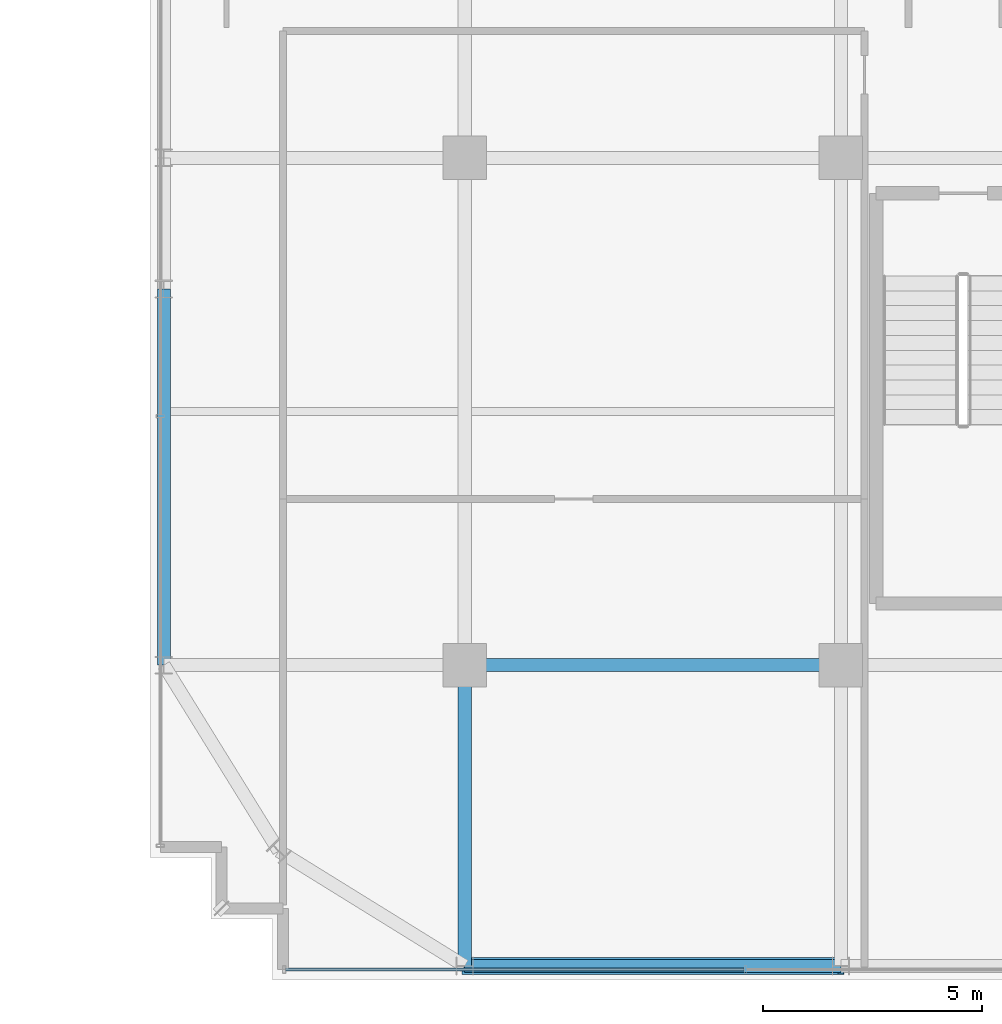
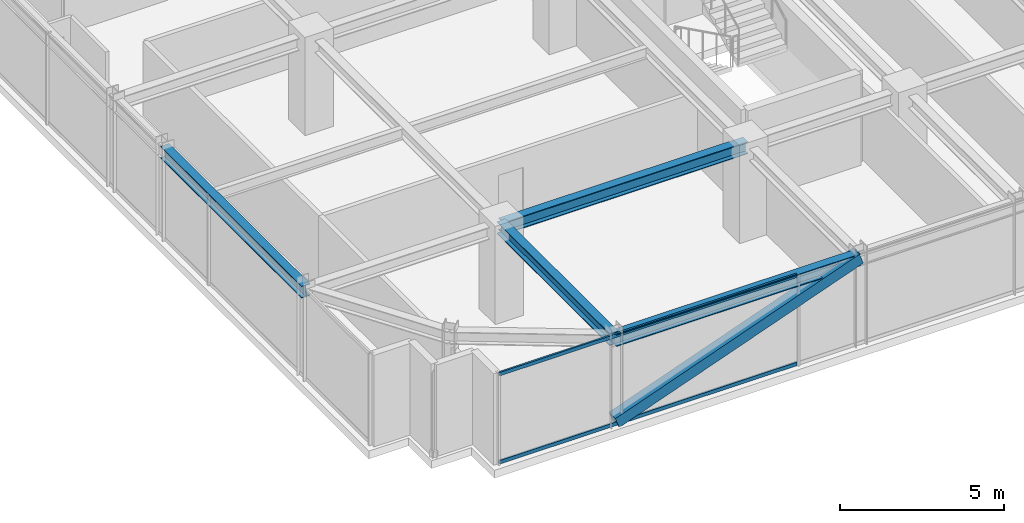
# One storey, part 5 of 41: 4 beams, 3 members, 1 element without a shape of its own.
"""IFC4 building model written with IfcOpenShell, lengths in metres."""

from ifc_helpers import new_model, si_unit, direction, frame, origin, origin_2d, place, context, subcontext, project, spatial, hollow_rectangle, i_section, extrude, source, transform, mapped, material, material_profile, profile_set, type_object, element, aggregate, save


model = new_model("IFC4")

# Units and contexts
model_context = context("Model", 3, precision=1e-05, world=origin(), true_north=direction((0.0, 1.0)))
body_context = subcontext(model_context, "Body", "Model", "MODEL_VIEW")
ifc_project = project(units=[si_unit("LENGTHUNIT", "METRE"), si_unit("AREAUNIT", "SQUARE_METRE"), si_unit("VOLUMEUNIT", "CUBIC_METRE"), si_unit("PLANEANGLEUNIT", "RADIAN"), si_unit("MASSUNIT", "GRAM", prefix="KILO")], contexts=[model_context])

# Site, building, storey
site_placement = place(None, origin())
site = spatial("IfcSite", under=ifc_project, at=site_placement, CompositionType="ELEMENT")
building_placement = place(site_placement, origin())
building = spatial("IfcBuilding", under=site, at=building_placement, Name="Nahalor Promenade Grand Hotel", CompositionType="ELEMENT")
storey_placement = place(building_placement, frame((0.0, 0.0, 227.10009765625)))
storey = spatial("IfcBuildingStorey", under=building, at=storey_placement, Name="L58", CompositionType="ELEMENT", Elevation=227.10009765625)

# Beams
ifc_material_1 = material(Name="Steel S355JR", Category="steel")
ifc_material_profile_1 = material_profile(ifc_material_1, i_section(OverallWidth=0.3, OverallDepth=0.45, WebThickness=0.014, FlangeThickness=0.026, at=origin_2d()), Name="HEB 450")
ifc_profile_set_1 = profile_set([ifc_material_profile_1], Name="Steel S355JR")
beam_type_1 = type_object("IfcBeamType", Name="Beam-Spandrel-HEB450", PredefinedType="SPANDREL", material=ifc_profile_set_1)
shared_shape_1 = source(origin(), body_context, "Body", "SweptSolid", [
    extrude(i_section(OverallWidth=0.3, OverallDepth=0.45, WebThickness=0.014, FlangeThickness=0.026, at=origin_2d()), origin(), (0.0, 0.0, 1.0), 8.60009765625),
])
for number, where, z_axis, x_axis, name in (
    (1, (-17.0, -23.8798828125, 3.184814453125), (1.0, 0.0, 0.0), (0.0, 1.0, 0.0), "BM-L58-SP-S-0"),
    (2, (-23.8798828125, -17.0, 3.184814453125), (0.0, 1.0, 0.0), (-1.0, 0.0, 0.0), "BM-L58-SP-W-0"),
):
    element("IfcBeam", number, at=place(storey_placement, frame(where, z_axis=z_axis, x_axis=x_axis)), inside=storey, type_object=beam_type_1, Name=name, PredefinedType="SPANDREL", context=body_context, shape_type="MappedRepresentation", body=[
        mapped(shared_shape_1, transform((0.0, 0.0, 0.0), scale=1.0)),
    ])
ifc_material_profile_2 = material_profile(ifc_material_1, i_section(OverallWidth=0.3, OverallDepth=0.45, WebThickness=0.014, FlangeThickness=0.026, at=origin_2d()), Name="HEB 450")
ifc_profile_set_2 = profile_set([ifc_material_profile_2], Name="Steel S355JR")
beam_type_2 = type_object("IfcBeamType", Name="Beam-Girder-HEB450", PredefinedType="BEAM", material=ifc_profile_set_2)
shared_shape_2 = source(origin(), body_context, "Body", "SweptSolid", [
    extrude(i_section(OverallWidth=0.3, OverallDepth=0.45, WebThickness=0.014, FlangeThickness=0.026, at=origin_2d()), origin(), (0.0, 0.0, 1.0), 6.8798828125),
])
beam_1_placement = place(storey_placement, frame((-17.0, -23.8798828125, 3.184814453125), z_axis=(0.0, 1.0, 0.0), x_axis=(-1.0, 0.0, 0.0)))
element("IfcBeam", 3, at=beam_1_placement, inside=storey, type_object=beam_type_2, Name="BM-L58-GY-0-0", PredefinedType="BEAM", context=body_context, shape_type="MappedRepresentation", body=[
    mapped(shared_shape_2, transform((0.0, 0.0, 0.0), scale=1.0)),
])
shared_shape_3 = source(origin(), body_context, "Body", "SweptSolid", [
    extrude(i_section(OverallWidth=0.3, OverallDepth=0.45, WebThickness=0.014, FlangeThickness=0.026, at=origin_2d()), origin(), (0.0, 0.0, 1.0), 8.60009765625),
])
beam_2_placement = place(storey_placement, frame((-17.0, -17.0, 3.184814453125), z_axis=(1.0, 0.0, 0.0), x_axis=(0.0, 1.0, 0.0)))
element("IfcBeam", 4, at=beam_2_placement, inside=storey, type_object=beam_type_2, Name="BM-L58-GX-0-1", PredefinedType="BEAM", context=body_context, shape_type="MappedRepresentation", body=[
    mapped(shared_shape_3, transform((0.0, 0.0, 0.0), scale=1.0)),
])

# Member
ifc_material_profile_3 = material_profile(ifc_material_1, hollow_rectangle(XDim=0.4, YDim=0.4, WallThickness=0.022, at=origin_2d()), Name="SHS 400x400x22")
ifc_profile_set_3 = profile_set([ifc_material_profile_3], Name="Steel S355JR")
member_type_1 = type_object("IfcMemberType", Name="Mem-ExoBrace-SHS400", PredefinedType="BRACE", material=ifc_profile_set_3)
shared_shape_4 = source(origin(), body_context, "Body", "SweptSolid", [
    extrude(hollow_rectangle(XDim=0.4, YDim=0.4, WallThickness=0.022, at=origin_2d()), origin(), (0.0, 0.0, 1.0), 9.145263671875),
])
member_1_placement = place(storey_placement, frame((-17.0, -23.8798828125, 0.14990234375), z_axis=(0.940396027132, 0.0, 0.340081331676), x_axis=(0.0, 1.0, 0.0)))
element("IfcMember", 5, at=member_1_placement, inside=storey, type_object=member_type_1, Name="EXO-L58-S-0", PredefinedType="BRACE", context=body_context, shape_type="MappedRepresentation", body=[
    mapped(shared_shape_4, transform((0.0, 0.0, 0.0), scale=1.0)),
])

# Curtain wall, members
ifc_material_2 = material(Name="Anodised Bronze Aluminium EN AW-6063 T6", Category="aluminium")
curtain_wall_type = type_object("IfcCurtainWallType", Name="CW2 Typical Hotel Flush Bronze Unitised Curtain Wall", PredefinedType="USERDEFINED", material=ifc_material_2)
curtain_wall_placement = place(storey_placement, origin())
curtain_wall = element("IfcCurtainWall", 6, at=curtain_wall_placement, inside=storey, type_object=curtain_wall_type, Name="L58 Curtain Wall CW-L58-S-1", ObjectType="UNITISED_CURTAIN_WALL", PredefinedType="USERDEFINED")
ifc_material_profile_4 = material_profile(ifc_material_2, hollow_rectangle(XDim=0.065, YDim=0.13, WallThickness=0.004, at=origin_2d()), Name="CWT 65x130x4")
ifc_profile_set_4 = profile_set([ifc_material_profile_4], Name="Anodised Bronze Aluminium EN AW-6063 T6")
member_type_2 = type_object("IfcMemberType", Name="CWT2 Typical Bronze Transom 65x130", PredefinedType="USERDEFINED", material=ifc_profile_set_4)
shared_shape_5 = source(origin(), body_context, "Body", "SweptSolid", [
    extrude(hollow_rectangle(XDim=0.065, YDim=0.13, WallThickness=0.004, at=origin_2d()), origin(), (0.0, 0.0, 1.0), 10.482421875),
])
member_2_placement = place(storey_placement, frame((-21.094970703125, -23.9599609375, 0.06494140625), z_axis=(1.0, 0.0, 0.0), x_axis=(0.0, 1.0, 0.0)))
member_2 = element("IfcMember", 7, at=member_2_placement, type_object=member_type_2, Name="CW-L58-S-1 Transom 0-0", ObjectType="TRANSOM", PredefinedType="USERDEFINED", context=body_context, shape_type="MappedRepresentation", body=[
    mapped(shared_shape_5, transform((0.0, 0.0, 0.0), scale=1.0)),
])
member_3_placement = place(storey_placement, frame((-21.094970703125, -23.9599609375, 3.344970703125), z_axis=(1.0, 0.0, 0.0), x_axis=(0.0, 1.0, 0.0)))
member_3 = element("IfcMember", 8, at=member_3_placement, type_object=member_type_2, Name="CW-L58-S-1 Transom 0-1", ObjectType="TRANSOM", PredefinedType="USERDEFINED", context=body_context, shape_type="MappedRepresentation", body=[
    mapped(shared_shape_5, transform((0.0, 0.0, 0.0), scale=1.0)),
])
aggregate(curtain_wall, [member_2, member_3])

save(model, "model.ifc")
